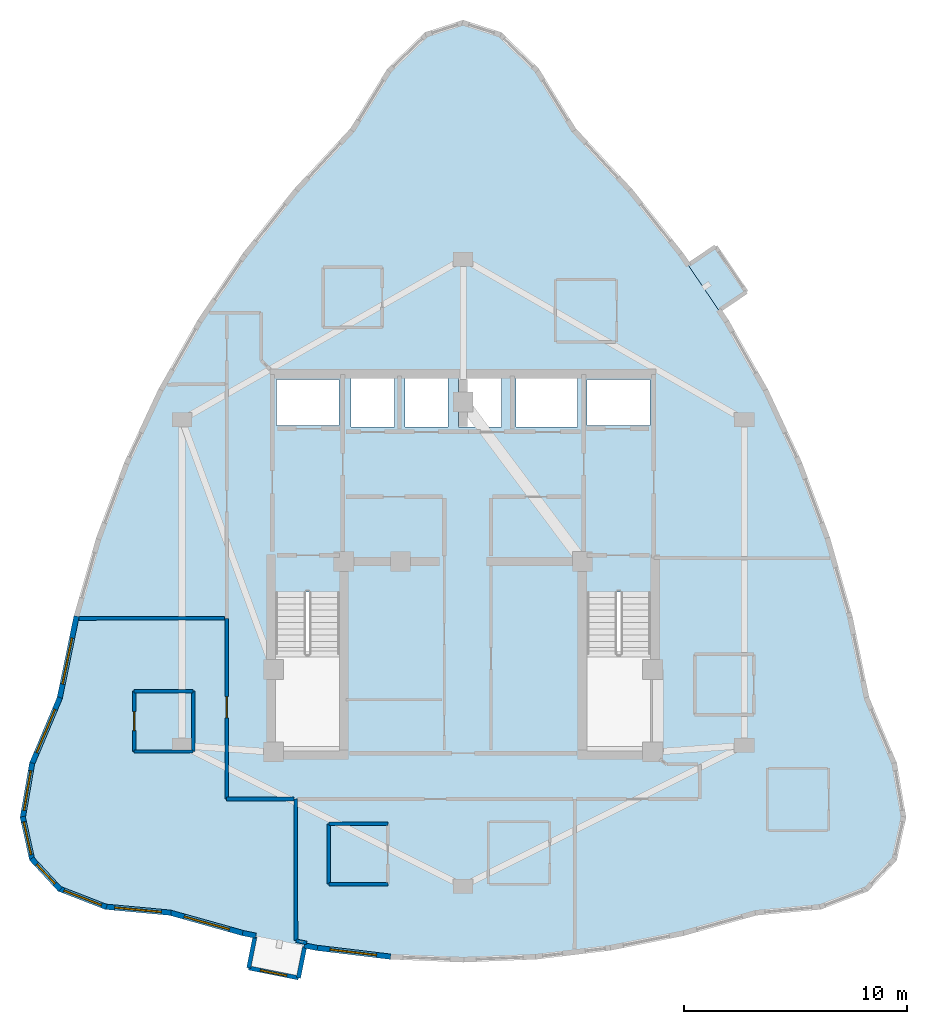
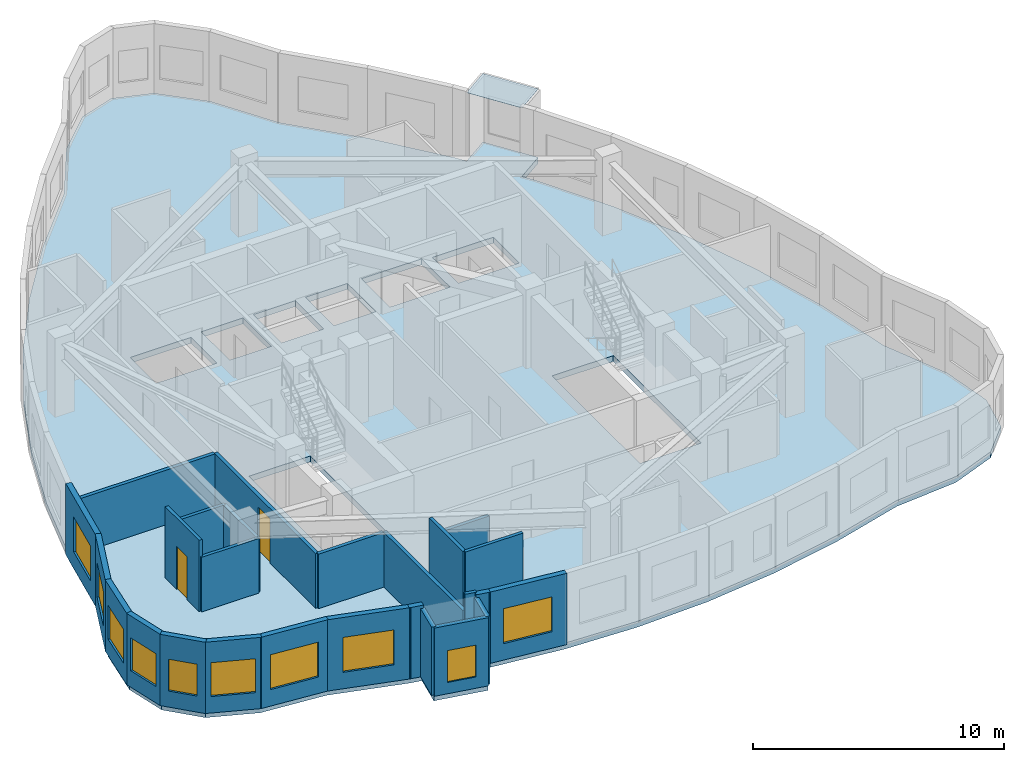
# One storey, part 5 of 10: 26 walls, 10 windows, 2 doors, 1 plate, 1 slab, 12 openings.
"""IFC4 building model written with IfcOpenShell, lengths in metres."""

from ifc_helpers import new_model, si_unit, direction, frame, frame_2d, origin, place, context, subcontext, project, spatial, polyline, rectangle, outline, extrude, material, layer, layer_set, type_object, element, fill, save


model = new_model("IFC4")

# Units and contexts
model_context = context("Model", 3, precision=1e-05, world=origin(), true_north=direction((0.0, 1.0)))
body_context = subcontext(model_context, "Body", "Model", "MODEL_VIEW")
ifc_project = project(units=[si_unit("LENGTHUNIT", "METRE"), si_unit("AREAUNIT", "SQUARE_METRE"), si_unit("VOLUMEUNIT", "CUBIC_METRE"), si_unit("PLANEANGLEUNIT", "RADIAN"), si_unit("MASSUNIT", "GRAM", prefix="KILO")], contexts=[model_context])

# Site, building, storey
site_placement = place(None, origin())
site = spatial("IfcSite", under=ifc_project, at=site_placement, CompositionType="ELEMENT")
building_placement = place(site_placement, origin())
building = spatial("IfcBuilding", under=site, at=building_placement, Name="Miruveldt Soraemaru", CompositionType="ELEMENT")
storey_placement = place(building_placement, frame((0.0, 0.0, 278.949951171875)))
storey = spatial("IfcBuildingStorey", under=building, at=storey_placement, Name="L76", CompositionType="ELEMENT", Elevation=278.949951171875)

# Plate
ifc_material_1 = material(Name="Standing-seam titanium-zinc sheet", Category="aluminium")
ifc_layer_1 = layer(ifc_material_1, 0.011962890625, Name="Standing-seam titanium-zinc sheet", Category="aluminium")
ifc_layer_set_1 = layer_set([ifc_layer_1], Name="Standing-seam titanium-zinc sheet")
plate_type = type_object("IfcPlateType", Name="PLT-ZINC-12", PredefinedType="SHEET", material=ifc_layer_set_1)
plate_placement = place(storey_placement, frame((0.0, 0.0, 3.320068359375)))
element("IfcPlate", 1, at=plate_placement, inside=storey, type_object=plate_type, Name="L76 Bay Window Zinc Hood Sheet 2", PredefinedType="SHEET", context=body_context, shape_type="SweptSolid", body=[
    extrude(outline(polyline([(55.46337890625, 55.29345703125), (54.088134765625, 57.323486328125), (55.3134765625, 58.1533203125), (56.688720703125, 56.123291015625), (55.46337890625, 55.29345703125)])), origin(), (0.0, 0.0, 1.0), 0.011962890625),
])

# Slab
ifc_material_2 = material(Name="Concrete C40/50 (40 MPa)", Category="concrete")
ifc_layer_2 = layer(ifc_material_2, 0.284912109375, Name="Concrete C40/50 (40 MPa)", Category="concrete")
ifc_layer_set_2 = layer_set([ifc_layer_2], Name="Concrete C40/50 (40 MPa)")
slab_type = type_object("IfcSlabType", Name="SLAB-RES4-285", PredefinedType="FLOOR", material=ifc_layer_set_2)
slab_placement = place(storey_placement, frame((0.0, 0.0, -0.284912109375)))
element("IfcSlab", 2, at=slab_placement, inside=storey, type_object=slab_type, Name="L76 Structural Floor Slab", PredefinedType="FLOOR", context=body_context, shape_type="SweptSolid", body=[
    extrude(outline(polyline([(34.155517578125, 27.38525390625), (30.873779296875, 28.303955078125), (27.9833984375, 28.571044921875), (25.918701171875, 29.3720703125), (24.68017578125, 30.70703125), (24.26708984375, 32.576171875), (24.68017578125, 34.979248046875), (25.918701171875, 37.91650390625), (26.66845703125, 41.55859375), (27.672607421875, 45.06982421875), (28.931396484375, 48.44970703125), (30.44482421875, 51.697998046875), (32.212890625, 54.8154296875), (34.235595703125, 57.801513671875), (36.512939453125, 60.656005859375), (39.044921875, 63.379638671875), (40.696533203125, 66.0498046875), (42.348388671875, 67.65185546875), (44.0, 68.185791015625), (45.651611328125, 67.65185546875), (47.303466796875, 66.0498046875), (48.955078125, 63.379638671875), (51.487060546875, 60.656005859375), (53.764404296875, 57.801513671875), (54.775634765625, 56.308349609375), (54.088134765625, 57.323486328125), (55.3134765625, 58.1533203125), (56.688720703125, 56.123291015625), (55.46337890625, 55.29345703125), (55.787109375, 54.8154296875), (57.55517578125, 51.697998046875), (59.068603515625, 48.44970703125), (60.327392578125, 45.06982421875), (61.33154296875, 41.55859375), (62.081298828125, 37.91650390625), (63.31982421875, 34.979248046875), (63.73291015625, 32.576171875), (63.31982421875, 30.70703125), (62.081298828125, 29.3720703125), (60.0166015625, 28.571044921875), (57.126220703125, 28.303955078125), (53.844482421875, 27.38525390625), (50.56298828125, 26.72900390625), (47.281494140625, 26.335205078125), (44.0, 26.203857421875), (40.718505859375, 26.335205078125), (37.43701171875, 26.72900390625), (36.912109375, 26.833984375), (36.621826171875, 25.382568359375), (34.39013671875, 25.828857421875), (34.680419921875, 27.2802734375), (35.796142578125, 27.05712890625), (34.155517578125, 27.38525390625)]), holes=[polyline([(35.614990234375, 35.6650390625), (38.43505859375, 35.6650390625), (38.43505859375, 42.68505859375), (35.614990234375, 42.68505859375), (35.614990234375, 35.6650390625)]), polyline([(49.56494140625, 35.6650390625), (52.385009765625, 35.6650390625), (52.385009765625, 42.68505859375), (49.56494140625, 42.68505859375), (49.56494140625, 35.6650390625)]), polyline([(38.445068359375, 50.135009765625), (38.445068359375, 52.205078125), (35.635009765625, 52.205078125), (35.635009765625, 50.135009765625), (38.445068359375, 50.135009765625)]), polyline([(52.364990234375, 50.135009765625), (52.364990234375, 52.205078125), (49.554931640625, 52.205078125), (49.554931640625, 50.135009765625), (52.364990234375, 50.135009765625)]), polyline([(40.9150390625, 50.06494140625), (40.9150390625, 52.3349609375), (38.985107421875, 52.3349609375), (38.985107421875, 50.06494140625), (40.9150390625, 50.06494140625)]), polyline([(43.31494140625, 50.06494140625), (43.31494140625, 52.3349609375), (41.385009765625, 52.3349609375), (41.385009765625, 50.06494140625), (43.31494140625, 50.06494140625)]), polyline([(45.715087890625, 50.06494140625), (45.715087890625, 52.3349609375), (43.784912109375, 52.3349609375), (43.784912109375, 50.06494140625), (45.715087890625, 50.06494140625)]), polyline([(49.135009765625, 50.06494140625), (49.135009765625, 52.3349609375), (46.364990234375, 52.3349609375), (46.364990234375, 50.06494140625), (49.135009765625, 50.06494140625)])]), origin(), (0.0, 0.0, 1.0), 0.284912109375),
])

# Walls
ifc_material_3 = material(Name="White powder-coated aluminium EN AW-6060 T6", Category="aluminium")
ifc_layer_3 = layer(ifc_material_3, 0.18994140625, Name="White powder-coated aluminium EN AW-6060 T6", Category="aluminium")
ifc_layer_set_3 = layer_set([ifc_layer_3], Name="White powder-coated aluminium EN AW-6060 T6")
wall_type_1 = type_object("IfcWallType", Name="WALL-BAY-ALU190", PredefinedType="SOLIDWALL", material=ifc_layer_set_3)
for number, where, z_axis, x_axis, name in (
    (3, (34.66943359375, 27.226318359375, 0.0), (0.0, 0.0, 1.0), (-0.195984352603, -0.980607022989, 0.0), "L76 Bay Window Side Cheek 1L"),
    (4, (36.621826171875, 25.382568359375, 0.0), (0.0, 0.0, 1.0), (0.196149079112, 0.980574086321, 0.0), "L76 Bay Window Side Cheek 1R"),
):
    element("IfcWall", number, at=place(storey_placement, frame(where, z_axis=z_axis, x_axis=x_axis)), inside=storey, type_object=wall_type_1, Name=name, PredefinedType="SOLIDWALL", context=body_context, shape_type="SweptSolid", body=[
        extrude(rectangle(XDim=1.425048828125, YDim=0.18994140625, at=frame_2d((0.71240234375, 0.0))), origin(), (0.0, 0.0, 1.0), 3.320068359375),
    ])

# Wall, opening, window
wall_1_placement = place(storey_placement, frame((34.39013671875, 25.828857421875, 0.0), z_axis=(0.0, 0.0, 1.0), x_axis=(0.980584801368, -0.196095505623, 0.0)))
wall_1 = element("IfcWall", 5, at=wall_1_placement, inside=storey, type_object=wall_type_1, Name="L76 Bay Window Front Frame 1", PredefinedType="SOLIDWALL", context=body_context, shape_type="SweptSolid", body=[
    extrude(rectangle(XDim=2.27587890625, YDim=0.18994140625, at=frame_2d((1.137939453125, 0.0))), origin(), (0.0, 0.0, 1.0), 3.320068359375),
])
opening_1_placement = place(wall_1_placement, frame((0.5380859375, 0.0, 0.550048828125)))
opening_1 = element("IfcOpeningElement", 6, at=opening_1_placement, cuts=wall_1, Name="Opening WN-4", PredefinedType="OPENING", context=body_context, shape_type="SweptSolid", body=[
    extrude(rectangle(XDim=1.199951171875, YDim=1.550048828125, at=frame_2d((0.60009765625, 0.77490234375))), frame((0.0, 0.10498046875, 0.0), z_axis=(0.0, -1.0, 0.0), x_axis=(1.0, 0.0, 0.0)), (0.0, 0.0, 1.0), 0.2099609375),
])
ifc_material_4 = material(Name="Triple low-e insulated glazing", Category="glass")
window_type_1 = type_object("IfcWindowType", Name="WIN-PUNCH-1200x1550", PartitioningType="SINGLE_PANEL", PredefinedType="WINDOW", material=ifc_material_4)
window_1_placement = place(opening_1_placement, origin())
window_1 = element("IfcWindow", 7, at=window_1_placement, inside=storey, type_object=window_type_1, Name="L76 Projecting Bay Window 1", OverallHeight=1.550048828125, OverallWidth=1.199951171875, PartitioningType="SINGLE_PANEL", PredefinedType="WINDOW", context=body_context, shape_type="SweptSolid", body=[
    extrude(rectangle(XDim=1.199951171875, YDim=1.550048828125, at=frame_2d((0.60009765625, 0.77490234375))), frame((0.0, 0.030029296875, 0.0), z_axis=(0.0, -1.0, 0.0), x_axis=(1.0, 0.0, 0.0)), (0.0, 0.0, 1.0), 0.06005859375),
])
fill(opening_1, window_1)

ifc_material_5 = material(Name="Precast concrete C45/55 (45 MPa)", Category="concrete")
ifc_layer_4 = layer(ifc_material_5, 0.239990234375, Name="Precast concrete C45/55 (45 MPa)", Category="concrete")
ifc_layer_set_4 = layer_set([ifc_layer_4], Name="Precast concrete C45/55 (45 MPa)")
wall_type_2 = type_object("IfcWallType", Name="WALL-EXT-PC240", PredefinedType="SOLIDWALL", material=ifc_layer_set_4)
wall_2_placement = place(storey_placement, frame((26.675537109375, 41.593017578125, 0.0), z_axis=(0.0, 0.0, 1.0), x_axis=(-0.201627466134, -0.979462283552, 0.0)))
wall_2 = element("IfcWall", 8, at=wall_2_placement, inside=storey, type_object=wall_type_2, Name="L76 Precast Concrete Facade Wall 14", PredefinedType="SOLIDWALL", context=body_context, shape_type="SweptSolid", body=[
    extrude(rectangle(XDim=3.788818359375, YDim=0.239990234375, at=frame_2d((1.89453125, 0.0))), origin(), (0.0, 0.0, 1.0), 3.469970703125),
])
opening_2_placement = place(wall_2_placement, frame((1.0029296875, 0.0, 0.800048828125)))
opening_2 = element("IfcOpeningElement", 9, at=opening_2_placement, cuts=wall_2, Name="Opening WN-1", PredefinedType="OPENING", context=body_context, shape_type="SweptSolid", body=[
    extrude(rectangle(XDim=2.10009765625, YDim=1.699951171875, at=frame_2d((1.050048828125, 0.85009765625))), frame((0.0, 0.1298828125, 0.0), z_axis=(0.0, -1.0, 0.0), x_axis=(1.0, 0.0, 0.0)), (0.0, 0.0, 1.0), 0.260009765625),
])
window_type_2 = type_object("IfcWindowType", Name="WIN-PUNCH-2100x1700", PartitioningType="SINGLE_PANEL", PredefinedType="WINDOW", material=ifc_material_4)
window_2_placement = place(opening_2_placement, origin())
window_2 = element("IfcWindow", 10, at=window_2_placement, inside=storey, type_object=window_type_2, Name="L76 Punched Triple-Glazed Window 14.1", OverallHeight=1.699951171875, OverallWidth=2.10009765625, PartitioningType="SINGLE_PANEL", PredefinedType="WINDOW", context=body_context, shape_type="SweptSolid", body=[
    extrude(rectangle(XDim=2.10009765625, YDim=1.699951171875, at=frame_2d((1.050048828125, 0.85009765625))), frame((0.0, 0.030029296875, 0.0), z_axis=(0.0, -1.0, 0.0), x_axis=(1.0, 0.0, 0.0)), (0.0, 0.0, 1.0), 0.06005859375),
])
fill(opening_2, window_2)

wall_3_placement = place(storey_placement, frame((25.932373046875, 37.948486328125, 0.0), z_axis=(0.0, 0.0, 1.0), x_axis=(-0.388603079175, -0.921405256581, 0.0)))
wall_3 = element("IfcWall", 11, at=wall_3_placement, inside=storey, type_object=wall_type_2, Name="L76 Precast Concrete Facade Wall 15", PredefinedType="SOLIDWALL", context=body_context, shape_type="SweptSolid", body=[
    extrude(rectangle(XDim=3.257568359375, YDim=0.239990234375, at=frame_2d((1.62890625, 0.0))), origin(), (0.0, 0.0, 1.0), 3.469970703125),
])
opening_3_placement = place(wall_3_placement, frame((0.5791015625, 0.0, 0.800048828125)))
opening_3 = element("IfcOpeningElement", 12, at=opening_3_placement, cuts=wall_3, Name="Opening WN-1", PredefinedType="OPENING", context=body_context, shape_type="SweptSolid", body=[
    extrude(rectangle(XDim=2.10009765625, YDim=1.699951171875, at=frame_2d((1.050048828125, 0.85009765625))), frame((0.0, 0.1298828125, 0.0), z_axis=(0.0, -1.0, 0.0), x_axis=(1.0, 0.0, 0.0)), (0.0, 0.0, 1.0), 0.260009765625),
])
window_3_placement = place(opening_3_placement, origin())
window_3 = element("IfcWindow", 13, at=window_3_placement, inside=storey, type_object=window_type_2, Name="L76 Punched Triple-Glazed Window 15.1", OverallHeight=1.699951171875, OverallWidth=2.10009765625, PartitioningType="SINGLE_PANEL", PredefinedType="WINDOW", context=body_context, shape_type="SweptSolid", body=[
    extrude(rectangle(XDim=2.10009765625, YDim=1.699951171875, at=frame_2d((1.050048828125, 0.85009765625))), frame((0.0, 0.030029296875, 0.0), z_axis=(0.0, -1.0, 0.0), x_axis=(1.0, 0.0, 0.0)), (0.0, 0.0, 1.0), 0.06005859375),
])
fill(opening_3, window_3)

wall_4_placement = place(storey_placement, frame((24.68603515625, 35.013916015625, 0.0), z_axis=(0.0, 0.0, 1.0), x_axis=(-0.169352810019, -0.985555490948, 0.0)))
wall_4 = element("IfcWall", 14, at=wall_4_placement, inside=storey, type_object=wall_type_2, Name="L76 Precast Concrete Facade Wall 16", PredefinedType="SOLIDWALL", context=body_context, shape_type="SweptSolid", body=[
    extrude(rectangle(XDim=2.50830078125, YDim=0.239990234375, at=frame_2d((1.254150390625, 0.0))), origin(), (0.0, 0.0, 1.0), 3.469970703125),
])
opening_4_placement = place(wall_4_placement, frame((0.35400390625, 0.0, 0.800048828125)))
opening_4 = element("IfcOpeningElement", 15, at=opening_4_placement, cuts=wall_4, Name="Opening WN-2", PredefinedType="OPENING", context=body_context, shape_type="SweptSolid", body=[
    extrude(rectangle(XDim=1.800048828125, YDim=1.64990234375, at=frame_2d((0.89990234375, 0.824951171875))), frame((0.0, 0.1298828125, 0.0), z_axis=(0.0, -1.0, 0.0), x_axis=(1.0, 0.0, 0.0)), (0.0, 0.0, 1.0), 0.260009765625),
])
window_type_3 = type_object("IfcWindowType", Name="WIN-PUNCH-1800x1650", PartitioningType="SINGLE_PANEL", PredefinedType="WINDOW", material=ifc_material_4)
window_4_placement = place(opening_4_placement, origin())
window_4 = element("IfcWindow", 16, at=window_4_placement, inside=storey, type_object=window_type_3, Name="L76 Punched Triple-Glazed Window 16.1", OverallHeight=1.64990234375, OverallWidth=1.800048828125, PartitioningType="SINGLE_PANEL", PredefinedType="WINDOW", context=body_context, shape_type="SweptSolid", body=[
    extrude(rectangle(XDim=1.800048828125, YDim=1.64990234375, at=frame_2d((0.89990234375, 0.824951171875))), frame((0.0, 0.030029296875, 0.0), z_axis=(0.0, -1.0, 0.0), x_axis=(1.0, 0.0, 0.0)), (0.0, 0.0, 1.0), 0.06005859375),
])
fill(opening_4, window_4)

wall_5_placement = place(storey_placement, frame((24.259521484375, 32.6103515625, 0.0), z_axis=(0.0, 0.0, 1.0), x_axis=(0.215809938712, -0.976435389748, 0.0)))
wall_5 = element("IfcWall", 17, at=wall_5_placement, inside=storey, type_object=wall_type_2, Name="L76 Precast Concrete Facade Wall 17", PredefinedType="SOLIDWALL", context=body_context, shape_type="SweptSolid", body=[
    extrude(rectangle(XDim=1.984375, YDim=0.239990234375, at=frame_2d((0.9921875, 0.0))), origin(), (0.0, 0.0, 1.0), 3.469970703125),
])
opening_5_placement = place(wall_5_placement, frame((0.241943359375, 0.0, 0.800048828125)))
opening_5 = element("IfcOpeningElement", 18, at=opening_5_placement, cuts=wall_5, Name="Opening WN-3", PredefinedType="OPENING", context=body_context, shape_type="SweptSolid", body=[
    extrude(rectangle(XDim=1.5, YDim=1.60009765625, at=frame_2d((0.75, 0.800048828125))), frame((0.0, 0.1298828125, 0.0), z_axis=(0.0, -1.0, 0.0), x_axis=(1.0, 0.0, 0.0)), (0.0, 0.0, 1.0), 0.260009765625),
])
window_type_4 = type_object("IfcWindowType", Name="WIN-PUNCH-1500x1600", PartitioningType="SINGLE_PANEL", PredefinedType="WINDOW", material=ifc_material_4)
window_5_placement = place(opening_5_placement, origin())
window_5 = element("IfcWindow", 19, at=window_5_placement, inside=storey, type_object=window_type_4, Name="L76 Punched Triple-Glazed Window 17.1", OverallHeight=1.60009765625, OverallWidth=1.5, PartitioningType="SINGLE_PANEL", PredefinedType="WINDOW", context=body_context, shape_type="SweptSolid", body=[
    extrude(rectangle(XDim=1.5, YDim=1.60009765625, at=frame_2d((0.75, 0.800048828125))), frame((0.0, 0.030029296875, 0.0), z_axis=(0.0, -1.0, 0.0), x_axis=(1.0, 0.0, 0.0)), (0.0, 0.0, 1.0), 0.06005859375),
])
fill(opening_5, window_5)

wall_6_placement = place(storey_placement, frame((24.65625, 30.73291015625, 0.0), z_axis=(0.0, 0.0, 1.0), x_axis=(0.680084659712, -0.73313358648, 0.0)))
wall_6 = element("IfcWall", 20, at=wall_6_placement, inside=storey, type_object=wall_type_2, Name="L76 Precast Concrete Facade Wall 18", PredefinedType="SOLIDWALL", context=body_context, shape_type="SweptSolid", body=[
    extrude(rectangle(XDim=1.8916015625, YDim=0.239990234375, at=frame_2d((0.94580078125, 0.0))), origin(), (0.0, 0.0, 1.0), 3.469970703125),
])
opening_6_placement = place(wall_6_placement, frame((0.345947265625, 0.0, 0.780029296875)))
opening_6 = element("IfcOpeningElement", 21, at=opening_6_placement, cuts=wall_6, Name="Opening WN-4", PredefinedType="OPENING", context=body_context, shape_type="SweptSolid", body=[
    extrude(rectangle(XDim=1.199951171875, YDim=1.550048828125, at=frame_2d((0.60009765625, 0.77490234375))), frame((0.0, 0.1298828125, 0.0), z_axis=(0.0, -1.0, 0.0), x_axis=(1.0, 0.0, 0.0)), (0.0, 0.0, 1.0), 0.260009765625),
])
window_6_placement = place(opening_6_placement, origin())
window_6 = element("IfcWindow", 22, at=window_6_placement, inside=storey, type_object=window_type_1, Name="L76 Punched Triple-Glazed Window 18.1", OverallHeight=1.550048828125, OverallWidth=1.199951171875, PartitioningType="SINGLE_PANEL", PredefinedType="WINDOW", context=body_context, shape_type="SweptSolid", body=[
    extrude(rectangle(XDim=1.199951171875, YDim=1.550048828125, at=frame_2d((0.60009765625, 0.77490234375))), frame((0.0, 0.030029296875, 0.0), z_axis=(0.0, -1.0, 0.0), x_axis=(1.0, 0.0, 0.0)), (0.0, 0.0, 1.0), 0.06005859375),
])
fill(opening_6, window_6)

wall_7_placement = place(storey_placement, frame((25.88623046875, 29.384765625, 0.0), z_axis=(0.0, 0.0, 1.0), x_axis=(0.932281157428, -0.36173449311, 0.0)))
wall_7 = element("IfcWall", 23, at=wall_7_placement, inside=storey, type_object=wall_type_2, Name="L76 Precast Concrete Facade Wall 19", PredefinedType="SOLIDWALL", context=body_context, shape_type="SweptSolid", body=[
    extrude(rectangle(XDim=2.28466796875, YDim=0.239990234375, at=frame_2d((1.142333984375, 0.0))), origin(), (0.0, 0.0, 1.0), 3.469970703125),
])
opening_7_placement = place(wall_7_placement, frame((0.242919921875, 0.0, 0.800048828125)))
opening_7 = element("IfcOpeningElement", 24, at=opening_7_placement, cuts=wall_7, Name="Opening WN-2", PredefinedType="OPENING", context=body_context, shape_type="SweptSolid", body=[
    extrude(rectangle(XDim=1.800048828125, YDim=1.64990234375, at=frame_2d((0.89990234375, 0.824951171875))), frame((0.0, 0.1298828125, 0.0), z_axis=(0.0, -1.0, 0.0), x_axis=(1.0, 0.0, 0.0)), (0.0, 0.0, 1.0), 0.260009765625),
])
window_7_placement = place(opening_7_placement, origin())
window_7 = element("IfcWindow", 25, at=window_7_placement, inside=storey, type_object=window_type_3, Name="L76 Punched Triple-Glazed Window 19.1", OverallHeight=1.64990234375, OverallWidth=1.800048828125, PartitioningType="SINGLE_PANEL", PredefinedType="WINDOW", context=body_context, shape_type="SweptSolid", body=[
    extrude(rectangle(XDim=1.800048828125, YDim=1.64990234375, at=frame_2d((0.89990234375, 0.824951171875))), frame((0.0, 0.030029296875, 0.0), z_axis=(0.0, -1.0, 0.0), x_axis=(1.0, 0.0, 0.0)), (0.0, 0.0, 1.0), 0.06005859375),
])
fill(opening_7, window_7)

wall_8_placement = place(storey_placement, frame((27.948486328125, 28.57421875, 0.0), z_axis=(0.0, 0.0, 1.0), x_axis=(0.995760894982, -0.091979563083, 0.0)))
wall_8 = element("IfcWall", 26, at=wall_8_placement, inside=storey, type_object=wall_type_2, Name="L76 Precast Concrete Facade Wall 20", PredefinedType="SOLIDWALL", context=body_context, shape_type="SweptSolid", body=[
    extrude(rectangle(XDim=2.972900390625, YDim=0.239990234375, at=frame_2d((1.486328125, 0.0))), origin(), (0.0, 0.0, 1.0), 3.469970703125),
])
opening_8_placement = place(wall_8_placement, frame((0.43701171875, 0.0, 0.800048828125)))
opening_8 = element("IfcOpeningElement", 27, at=opening_8_placement, cuts=wall_8, Name="Opening WN-1", PredefinedType="OPENING", context=body_context, shape_type="SweptSolid", body=[
    extrude(rectangle(XDim=2.10009765625, YDim=1.699951171875, at=frame_2d((1.050048828125, 0.85009765625))), frame((0.0, 0.1298828125, 0.0), z_axis=(0.0, -1.0, 0.0), x_axis=(1.0, 0.0, 0.0)), (0.0, 0.0, 1.0), 0.260009765625),
])
window_8_placement = place(opening_8_placement, origin())
window_8 = element("IfcWindow", 28, at=window_8_placement, inside=storey, type_object=window_type_2, Name="L76 Punched Triple-Glazed Window 20.1", OverallHeight=1.699951171875, OverallWidth=2.10009765625, PartitioningType="SINGLE_PANEL", PredefinedType="WINDOW", context=body_context, shape_type="SweptSolid", body=[
    extrude(rectangle(XDim=2.10009765625, YDim=1.699951171875, at=frame_2d((1.050048828125, 0.85009765625))), frame((0.0, 0.030029296875, 0.0), z_axis=(0.0, -1.0, 0.0), x_axis=(1.0, 0.0, 0.0)), (0.0, 0.0, 1.0), 0.06005859375),
])
fill(opening_8, window_8)

wall_9_placement = place(storey_placement, frame((30.840087890625, 28.3134765625, 0.0), z_axis=(0.0, 0.0, 1.0), x_axis=(0.962964748761, -0.269627321766, 0.0)))
wall_9 = element("IfcWall", 29, at=wall_9_placement, inside=storey, type_object=wall_type_2, Name="L76 Precast Concrete Facade Wall 21", PredefinedType="SOLIDWALL", context=body_context, shape_type="SweptSolid", body=[
    extrude(rectangle(XDim=3.47802734375, YDim=0.239990234375, at=frame_2d((1.739013671875, 0.0))), origin(), (0.0, 0.0, 1.0), 3.469970703125),
])
opening_9_placement = place(wall_9_placement, frame((0.68896484375, 0.0, 0.800048828125)))
opening_9 = element("IfcOpeningElement", 30, at=opening_9_placement, cuts=wall_9, Name="Opening WN-1", PredefinedType="OPENING", context=body_context, shape_type="SweptSolid", body=[
    extrude(rectangle(XDim=2.10009765625, YDim=1.699951171875, at=frame_2d((1.050048828125, 0.85009765625))), frame((0.0, 0.1298828125, 0.0), z_axis=(0.0, -1.0, 0.0), x_axis=(1.0, 0.0, 0.0)), (0.0, 0.0, 1.0), 0.260009765625),
])
window_9_placement = place(opening_9_placement, origin())
window_9 = element("IfcWindow", 31, at=window_9_placement, inside=storey, type_object=window_type_2, Name="L76 Punched Triple-Glazed Window 21.1", OverallHeight=1.699951171875, OverallWidth=2.10009765625, PartitioningType="SINGLE_PANEL", PredefinedType="WINDOW", context=body_context, shape_type="SweptSolid", body=[
    extrude(rectangle(XDim=2.10009765625, YDim=1.699951171875, at=frame_2d((1.050048828125, 0.85009765625))), frame((0.0, 0.030029296875, 0.0), z_axis=(0.0, -1.0, 0.0), x_axis=(1.0, 0.0, 0.0)), (0.0, 0.0, 1.0), 0.06005859375),
])
fill(opening_9, window_9)

# Walls
wall_10_placement = place(storey_placement, frame((34.12109375, 27.39208984375, 0.0), z_axis=(0.0, 0.0, 1.0), x_axis=(0.980596315559, -0.196037919577, 0.0)))
element("IfcWall", 32, at=wall_10_placement, inside=storey, type_object=wall_type_2, Name="L76 Precast Pier Wall 22A", PredefinedType="SOLIDWALL", context=body_context, shape_type="SweptSolid", body=[
    extrude(rectangle(XDim=0.600341796875, YDim=0.239990234375, at=frame_2d((0.30029296875, 0.0))), origin(), (0.0, 0.0, 1.0), 3.469970703125),
])
wall_11_placement = place(storey_placement, frame((36.8828125, 26.83984375, 0.0), z_axis=(0.0, 0.0, 1.0), x_axis=(0.980502357763, -0.196507319004, 0.0)))
element("IfcWall", 33, at=wall_11_placement, inside=storey, type_object=wall_type_2, Name="L76 Precast Pier Wall 22B", PredefinedType="SOLIDWALL", context=body_context, shape_type="SweptSolid", body=[
    extrude(rectangle(XDim=0.60009765625, YDim=0.239990234375, at=frame_2d((0.300048828125, 0.0))), origin(), (0.0, 0.0, 1.0), 3.469970703125),
])

# Wall, opening, window
wall_12_placement = place(storey_placement, frame((37.402099609375, 26.733154296875, 0.0), z_axis=(0.0, 0.0, 1.0), x_axis=(0.992870334177, -0.119199410703, 0.0)))
wall_12 = element("IfcWall", 34, at=wall_12_placement, inside=storey, type_object=wall_type_2, Name="L76 Precast Concrete Facade Wall 23", PredefinedType="SOLIDWALL", context=body_context, shape_type="SweptSolid", body=[
    extrude(rectangle(XDim=3.37548828125, YDim=0.239990234375, at=frame_2d((1.687744140625, 0.0))), origin(), (0.0, 0.0, 1.0), 3.469970703125),
])
opening_10_placement = place(wall_12_placement, frame((0.636962890625, 0.0, 0.800048828125)))
opening_10 = element("IfcOpeningElement", 35, at=opening_10_placement, cuts=wall_12, Name="Opening WN-1", PredefinedType="OPENING", context=body_context, shape_type="SweptSolid", body=[
    extrude(rectangle(XDim=2.10009765625, YDim=1.699951171875, at=frame_2d((1.050048828125, 0.85009765625))), frame((0.0, 0.1298828125, 0.0), z_axis=(0.0, -1.0, 0.0), x_axis=(1.0, 0.0, 0.0)), (0.0, 0.0, 1.0), 0.260009765625),
])
window_10_placement = place(opening_10_placement, origin())
window_10 = element("IfcWindow", 36, at=window_10_placement, inside=storey, type_object=window_type_2, Name="L76 Punched Triple-Glazed Window 23.1", OverallHeight=1.699951171875, OverallWidth=2.10009765625, PartitioningType="SINGLE_PANEL", PredefinedType="WINDOW", context=body_context, shape_type="SweptSolid", body=[
    extrude(rectangle(XDim=2.10009765625, YDim=1.699951171875, at=frame_2d((1.050048828125, 0.85009765625))), frame((0.0, 0.030029296875, 0.0), z_axis=(0.0, -1.0, 0.0), x_axis=(1.0, 0.0, 0.0)), (0.0, 0.0, 1.0), 0.06005859375),
])
fill(opening_10, window_10)

# Wall, opening, door
ifc_material_6 = material(Name="Gypsum plasterboard lining", Category="gypsum")
ifc_layer_5 = layer(ifc_material_6, 0.14990234375, Name="Gypsum plasterboard lining", Category="gypsum")
ifc_layer_set_5 = layer_set([ifc_layer_5], Name="Gypsum plasterboard lining")
wall_type_3 = type_object("IfcWallType", Name="WALL-INT-PLUMB", PredefinedType="PLUMBINGWALL", material=ifc_layer_set_5)
wall_13_placement = place(storey_placement, frame((29.256103515625, 38.22998046875, 0.0), z_axis=(0.0, 0.0, 1.0), x_axis=(0.0, -1.0, 0.0)))
wall_13 = element("IfcWall", 37, at=wall_13_placement, inside=storey, type_object=wall_type_3, Name="L76 Partition Wall 24", PredefinedType="PLUMBINGWALL", context=body_context, shape_type="SweptSolid", body=[
    extrude(rectangle(XDim=2.699951171875, YDim=0.14990234375, at=frame_2d((1.35009765625, 0.0))), origin(), (0.0, 0.0, 1.0), 3.469970703125),
])
opening_11_placement = place(wall_13_placement, frame((0.909912109375, 0.0, 0.0)))
opening_11 = element("IfcOpeningElement", 38, at=opening_11_placement, cuts=wall_13, Name="Opening FD3", PredefinedType="OPENING", context=body_context, shape_type="SweptSolid", body=[
    extrude(rectangle(XDim=0.85009765625, YDim=2.10009765625, at=frame_2d((0.425048828125, 1.050048828125))), frame((0.0, 0.0849609375, 0.0), z_axis=(0.0, -1.0, 0.0), x_axis=(1.0, 0.0, 0.0)), (0.0, 0.0, 1.0), 0.169921875),
])
ifc_material_7 = material(Name="Anodised aluminium EN AW-6063 T6", Category="aluminium")
door_type_1 = type_object("IfcDoorType", Name="DOOR-FD3-850", OperationType="NOTDEFINED", PredefinedType="DOOR", material=ifc_material_7)
door_1_placement = place(opening_11_placement, origin())
door_1 = element("IfcDoor", 39, at=door_1_placement, inside=storey, type_object=door_type_1, Name="L76 Unit CL03 BTH Door", OperationType="SINGLE_SWING_LEFT", OverallHeight=2.10009765625, OverallWidth=0.85009765625, PredefinedType="DOOR", context=body_context, shape_type="SweptSolid", body=[
    extrude(rectangle(XDim=0.85009765625, YDim=2.10009765625, at=frame_2d((0.425048828125, 1.050048828125))), frame((0.0, 0.02490234375, 0.0), z_axis=(0.0, -1.0, 0.0), x_axis=(1.0, 0.0, 0.0)), (0.0, 0.0, 1.0), 0.050048828125),
])
fill(opening_11, door_1)

# Walls
wall_14_placement = place(storey_placement, frame((37.97998046875, 32.285888671875, 0.0), z_axis=(0.0, 0.0, 1.0), x_axis=(0.0, -1.0, 0.0)))
element("IfcWall", 40, at=wall_14_placement, inside=storey, type_object=wall_type_3, Name="L76 Partition Wall 29", PredefinedType="PLUMBINGWALL", context=body_context, shape_type="SweptSolid", body=[
    extrude(rectangle(XDim=2.699951171875, YDim=0.14990234375, at=frame_2d((1.35009765625, 0.0))), origin(), (0.0, 0.0, 1.0), 3.469970703125),
])
wall_15_placement = place(storey_placement, frame((31.906005859375, 35.530029296875, 0.0), z_axis=(0.0, 0.0, 1.0), x_axis=(0.0, 1.0, 0.0)))
element("IfcWall", 41, at=wall_15_placement, inside=storey, type_object=wall_type_3, Name="L76 Partition Wall 22", PredefinedType="PLUMBINGWALL", context=body_context, shape_type="SweptSolid", body=[
    extrude(rectangle(XDim=2.699951171875, YDim=0.14990234375, at=frame_2d((1.35009765625, 0.0))), origin(), (0.0, 0.0, 1.0), 2.657958984375),
])
wall_16_placement = place(storey_placement, frame((40.6298828125, 32.285888671875, 0.0), z_axis=(0.0, 0.0, 1.0), x_axis=(-1.0, 0.0, 0.0)))
element("IfcWall", 42, at=wall_16_placement, inside=storey, type_object=wall_type_3, Name="L76 Partition Wall 28", PredefinedType="PLUMBINGWALL", context=body_context, shape_type="SweptSolid", body=[
    extrude(rectangle(XDim=2.64990234375, YDim=0.14990234375, at=frame_2d((1.324951171875, 0.0))), origin(), (0.0, 0.0, 1.0), 2.657958984375),
])
wall_17_placement = place(storey_placement, frame((37.97998046875, 29.5859375, 0.0), z_axis=(0.0, 0.0, 1.0), x_axis=(1.0, 0.0, 0.0)))
element("IfcWall", 43, at=wall_17_placement, inside=storey, type_object=wall_type_3, Name="L76 Partition Wall 30", PredefinedType="PLUMBINGWALL", context=body_context, shape_type="SweptSolid", body=[
    extrude(rectangle(XDim=2.64990234375, YDim=0.14990234375, at=frame_2d((1.324951171875, 0.0))), origin(), (0.0, 0.0, 1.0), 3.469970703125),
])
for number, where, z_axis, x_axis, name in (
    (44, (31.906005859375, 38.22998046875, 0.0), (0.0, 0.0, 1.0), (-1.0, 0.0, 0.0), "L76 Partition Wall 23"),
    (45, (29.256103515625, 35.530029296875, 0.0), (0.0, 0.0, 1.0), (1.0, 0.0, 0.0), "L76 Partition Wall 25"),
):
    element("IfcWall", number, at=place(storey_placement, frame(where, z_axis=z_axis, x_axis=x_axis)), inside=storey, type_object=wall_type_3, Name=name, PredefinedType="PLUMBINGWALL", context=body_context, shape_type="SweptSolid", body=[
        extrude(rectangle(XDim=2.64990234375, YDim=0.14990234375, at=frame_2d((1.324951171875, 0.0))), origin(), (0.0, 0.0, 1.0), 2.657958984375),
    ])

# Wall, opening, door
ifc_layer_6 = layer(ifc_material_2, 0.159912109375, Name="Concrete C40/50 (40 MPa)", Category="concrete")
ifc_layer_set_6 = layer_set([ifc_layer_6], Name="Concrete C40/50 (40 MPa)")
wall_type_4 = type_object("IfcWallType", Name="WALL-INT-RC160", PredefinedType="SOLIDWALL", material=ifc_layer_set_6)
wall_18_placement = place(storey_placement, frame((33.39990234375, 41.49609375, 0.0), z_axis=(0.0, 0.0, 1.0), x_axis=(0.0, -1.0, 0.0)))
wall_18 = element("IfcWall", 46, at=wall_18_placement, inside=storey, type_object=wall_type_4, Name="L76 Partition Wall 5", PredefinedType="SOLIDWALL", context=body_context, shape_type="SweptSolid", body=[
    extrude(rectangle(XDim=8.09619140625, YDim=0.159912109375, at=frame_2d((4.048095703125, 0.0))), origin(), (0.0, 0.0, 1.0), 2.657958984375),
])
opening_12_placement = place(wall_18_placement, frame((3.510986328125, 0.0, 0.0)))
opening_12 = element("IfcOpeningElement", 47, at=opening_12_placement, cuts=wall_18, Name="Opening FD2", PredefinedType="OPENING", context=body_context, shape_type="SweptSolid", body=[
    extrude(rectangle(XDim=0.949951171875, YDim=2.14990234375, at=frame_2d((0.47509765625, 1.074951171875))), frame((0.0, 0.08984375, 0.0), z_axis=(0.0, -1.0, 0.0), x_axis=(1.0, 0.0, 0.0)), (0.0, 0.0, 1.0), 0.179931640625),
])
door_type_2 = type_object("IfcDoorType", Name="DOOR-FD2-950", OperationType="NOTDEFINED", PredefinedType="DOOR", material=ifc_material_7)
door_2_placement = place(opening_12_placement, origin())
door_2 = element("IfcDoor", 48, at=door_2_placement, inside=storey, type_object=door_type_2, Name="L76 Unit CL03 Entrance Fire Door", OperationType="SINGLE_SWING_RIGHT", OverallHeight=2.14990234375, OverallWidth=0.949951171875, PredefinedType="DOOR", context=body_context, shape_type="SweptSolid", body=[
    extrude(rectangle(XDim=0.949951171875, YDim=2.14990234375, at=frame_2d((0.47509765625, 1.074951171875))), frame((0.0, 0.02490234375, 0.0), z_axis=(0.0, -1.0, 0.0), x_axis=(1.0, 0.0, 0.0)), (0.0, 0.0, 1.0), 0.050048828125),
])
fill(opening_12, door_2)

# Walls
wall_19_placement = place(storey_placement, frame((26.7919921875, 41.489990234375, 0.0), z_axis=(0.0, 0.0, 1.0), x_axis=(0.999998822939, 0.001534314488, 0.0)))
element("IfcWall", 49, at=wall_19_placement, inside=storey, type_object=wall_type_4, Name="L76 Partition Wall 21", PredefinedType="SOLIDWALL", context=body_context, shape_type="SweptSolid", body=[
    extrude(rectangle(XDim=6.52392578125, YDim=0.159912109375, at=frame_2d((3.261962890625, 0.0))), origin(), (0.0, 0.0, 1.0), 2.657958984375),
])
wall_20_placement = place(storey_placement, frame((36.510986328125, 27.052001953125, 0.0), z_axis=(0.0, 0.0, 1.0), x_axis=(-0.001730700073, 0.999998502338, 0.0)))
element("IfcWall", 50, at=wall_20_placement, inside=storey, type_object=wall_type_4, Name="L76 Partition Wall 26", PredefinedType="SOLIDWALL", context=body_context, shape_type="SweptSolid", body=[
    extrude(rectangle(XDim=6.347900390625, YDim=0.159912109375, at=frame_2d((3.173828125, 0.0))), origin(), (0.0, 0.0, 1.0), 2.657958984375),
])
wall_21_placement = place(storey_placement, frame((33.39990234375, 33.39990234375, 0.0), z_axis=(0.0, 0.0, 1.0), x_axis=(1.0, 0.0, 0.0)))
element("IfcWall", 51, at=wall_21_placement, inside=storey, type_object=wall_type_4, Name="L76 Partition Wall 6", PredefinedType="SOLIDWALL", context=body_context, shape_type="SweptSolid", body=[
    extrude(rectangle(XDim=3.01611328125, YDim=0.159912109375, at=frame_2d((1.508056640625, 0.0))), origin(), (0.0, 0.0, 1.0), 2.657958984375),
])
wall_22_placement = place(storey_placement, frame((36.510986328125, 27.052001953125, 0.0), z_axis=(0.0, 0.0, 1.0), x_axis=(0.977618337589, -0.210386278094, 0.0)))
element("IfcWall", 52, at=wall_22_placement, inside=storey, type_object=wall_type_4, Name="L76 Partition Closure Return 3", PredefinedType="SOLIDWALL", context=body_context, shape_type="SweptSolid", body=[
    extrude(rectangle(XDim=0.486328125, YDim=0.159912109375, at=frame_2d((0.2431640625, 0.0))), origin(), (0.0, 0.0, 1.0), 3.469970703125),
])

save(model, "model.ifc")
